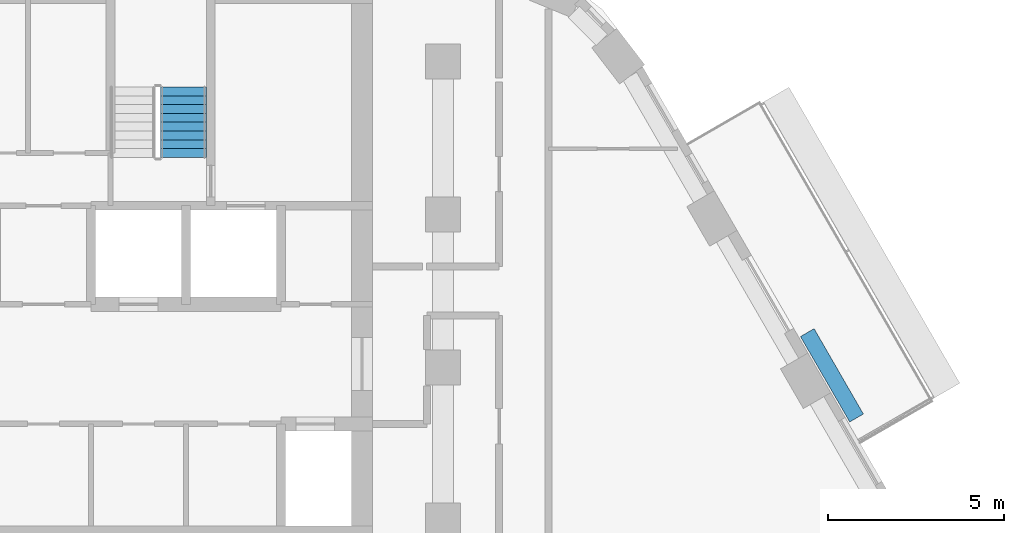
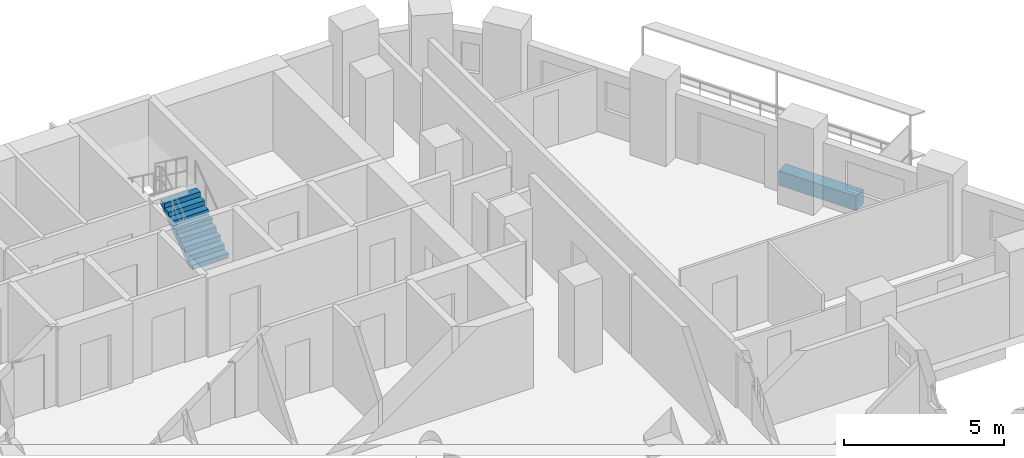
# One storey, part 10 of 14: 1 discrete accessory, 1 stair flight, 1 element without a shape of its own.
"""IFC4 building model written with IfcOpenShell, lengths in metres."""

from ifc_helpers import new_model, si_unit, direction, frame, origin, origin_2d, place, context, subcontext, project, spatial, polyline, rectangle, outline, extrude, material, type_object, element, aggregate, save


model = new_model("IFC4")

# Units and contexts
model_context = context("Model", 3, precision=1e-05, world=origin(), true_north=direction((0.0, 1.0)))
body_context = subcontext(model_context, "Body", "Model", "MODEL_VIEW")
ifc_project = project(units=[si_unit("LENGTHUNIT", "METRE"), si_unit("AREAUNIT", "SQUARE_METRE"), si_unit("VOLUMEUNIT", "CUBIC_METRE"), si_unit("PLANEANGLEUNIT", "RADIAN"), si_unit("MASSUNIT", "GRAM", prefix="KILO")], contexts=[model_context])

# Site, building, storey
site_placement = place(None, origin())
site = spatial("IfcSite", under=ifc_project, at=site_placement, CompositionType="ELEMENT")
building_placement = place(site_placement, origin())
building = spatial("IfcBuilding", under=site, at=building_placement, Name="Nakaniwa Court", CompositionType="ELEMENT")
storey_placement = place(building_placement, frame((0.0, 0.0, 160.199951171875)))
storey = spatial("IfcBuildingStorey", under=building, at=storey_placement, Name="L42", CompositionType="ELEMENT", Elevation=160.199951171875)

# Stair, stair flight
ifc_material_1 = material(Name="Concrete C80/100", Category="concrete")
stair_type = type_object("IfcStairType", Name="Dog leg stair 1300 wide 18 risers", PredefinedType="HALF_TURN_STAIR", material=ifc_material_1)
stair_placement = place(storey_placement, origin())
stair = element("IfcStair", 1, at=stair_placement, inside=storey, type_object=stair_type, Name="L42 Stair ST2", PredefinedType="HALF_TURN_STAIR")
stair_flight_type = type_object("IfcStairFlightType", Name="Stair flight 1300 wide 9 risers", PredefinedType="STRAIGHT", material=ifc_material_1)
stair_flight_placement = place(storey_placement, frame((82.625, 98.27490234375, 0.0), z_axis=(0.0, 0.0, 1.0), x_axis=(0.0, 1.0, 0.0)))
stair_flight = element("IfcStairFlight", 2, at=stair_flight_placement, type_object=stair_flight_type, Name="ST2 flight 1", NumberOfRisers=9, NumberOfTreads=8, PredefinedType="STRAIGHT", RiserHeight=0.183333333, TreadLength=0.25, context=body_context, shape_type="SweptSolid", body=[
    extrude(outline(polyline([(0.0, 0.0), (0.0, 0.026123046875), (0.0, 0.052490234375), (0.0, 0.07861328125), (0.0, 0.104736328125), (0.0, 0.130859375), (0.0, 0.1572265625), (0.0, 0.183349609375), (0.25, 0.183349609375), (0.25, 0.36669921875), (0.5, 0.36669921875), (0.5, 0.550048828125), (0.75, 0.550048828125), (0.75, 0.7333984375), (1.0, 0.7333984375), (1.0, 0.916748046875), (1.25, 0.916748046875), (1.25, 1.10009765625), (1.5, 1.10009765625), (1.5, 1.283447265625), (1.75, 1.283447265625), (1.75, 1.466552734375), (2.0, 1.466552734375), (2.0, 1.64990234375), (2.0, 1.59716796875), (2.0, 1.54443359375), (2.0, 1.49169921875), (2.0, 1.43896484375), (2.0, 1.38623046875), (2.0, 1.33349609375), (2.0, 1.28076171875), (0.25341796875, 0.0), (0.0, 0.0)])), frame((0.0, 0.64990234375, 0.0), z_axis=(0.0, -1.0, 0.0), x_axis=(1.0, 0.0, 0.0)), (0.0, 0.0, 1.0), 1.300048828125),
])
aggregate(stair, [stair_flight])

# Discrete accessory
ifc_material_2 = material(Name="Precast concrete C40/50 planter with planted soil", Category="concrete")
discrete_accessory_type = type_object("IfcDiscreteAccessoryType", Name="Planter box charcoal concrete", PredefinedType="USERDEFINED", material=ifc_material_2)
discrete_accessory_placement = place(storey_placement, frame((101.0556640625, 92.080810546875, -0.0498046875), z_axis=(0.0, 0.0, 1.0), x_axis=(-0.500004534492, 0.866022785779, 0.0)))
element("IfcDiscreteAccessory", 3, at=discrete_accessory_placement, inside=storey, type_object=discrete_accessory_type, Name="L42 balcony PLANTER 01", ObjectType="PLANTER", PredefinedType="USERDEFINED", context=body_context, shape_type="SweptSolid", body=[
    extrude(rectangle(XDim=2.802978515625, YDim=0.449951171875, at=origin_2d()), origin(), (0.0, 0.0, 1.0), 0.550048828125),
])

save(model, "model.ifc")
